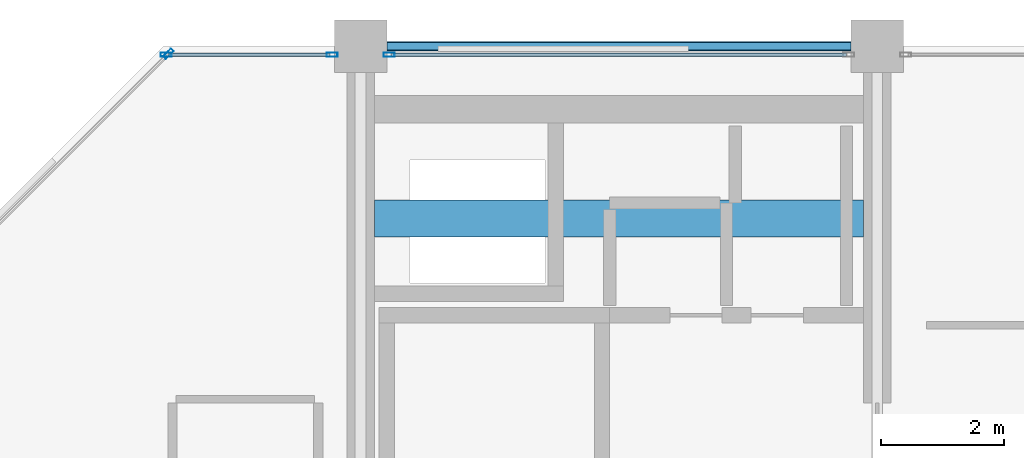
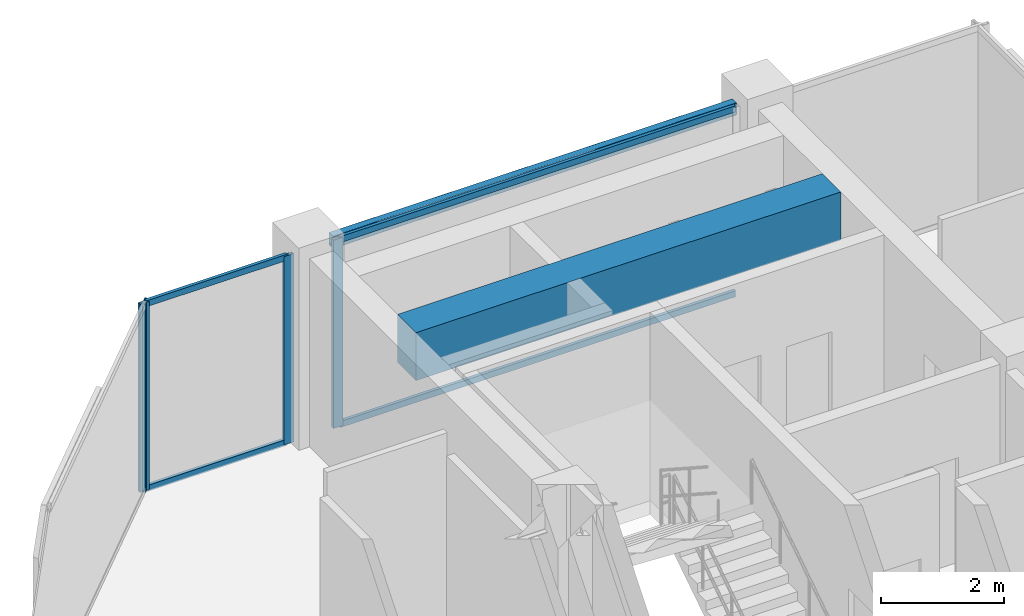
# One storey, part 18 of 26: 8 members, 2 beams, 3 elements without a shape of their own.
"""IFC4 building model written with IfcOpenShell, lengths in metres."""

from ifc_helpers import new_model, si_unit, direction, frame, origin, origin_2d, place, context, subcontext, project, spatial, rectangle, hollow_rectangle, extrude, material, layer, layer_set, material_profile, profile_set, type_object, element, aggregate, save


model = new_model("IFC4")

# Units and contexts
model_context = context("Model", 3, precision=1e-05, world=origin(), true_north=direction((0.0, 1.0)))
body_context = subcontext(model_context, "Body", "Model", "MODEL_VIEW")
ifc_project = project(units=[si_unit("LENGTHUNIT", "METRE"), si_unit("AREAUNIT", "SQUARE_METRE"), si_unit("VOLUMEUNIT", "CUBIC_METRE"), si_unit("PLANEANGLEUNIT", "RADIAN"), si_unit("MASSUNIT", "GRAM", prefix="KILO")], contexts=[model_context])

# Site, building, storey
site_placement = place(None, origin())
site = spatial("IfcSite", under=ifc_project, at=site_placement, CompositionType="ELEMENT")
building_placement = place(site_placement, origin())
building = spatial("IfcBuilding", under=site, at=building_placement, Name="Nerrivon Quay Data Exchange", CompositionType="ELEMENT")
storey_placement = place(building_placement, frame((0.0, 0.0, 262.199951171875)))
storey = spatial("IfcBuildingStorey", under=building, at=storey_placement, Name="L62", CompositionType="ELEMENT", Elevation=262.199951171875)

# Beams
ifc_material_1 = material(Name="Concrete N50 (50 MPa)", Category="concrete")
ifc_material_profile_1 = material_profile(ifc_material_1, rectangle(XDim=0.60009765625, YDim=0.949951171875, at=origin_2d()), Name="RC-CB-600x950")
ifc_profile_set_1 = profile_set([ifc_material_profile_1], Name="Concrete N50 (50 MPa)")
beam_type_1 = type_object("IfcBeamType", Name="BM-CB2-600x950", PredefinedType="LINTEL", material=ifc_profile_set_1)
beam_1_placement = place(storey_placement, frame((8.625, 39.199951171875, 3.25), z_axis=(1.0, 0.0, 0.0), x_axis=(0.0, 1.0, 0.0)))
element("IfcBeam", 1, at=beam_1_placement, inside=storey, type_object=beam_type_1, Name="L62 West Core Coupling Beam", PredefinedType="LINTEL", context=body_context, shape_type="SweptSolid", body=[
    extrude(rectangle(XDim=0.60009765625, YDim=0.949951171875, at=origin_2d()), origin(), (0.0, 0.0, 1.0), 7.949951171875),
])
ifc_material_2 = material(Name="Steel Grade C350L0 (350 MPa)", Category="steel")
ifc_material_profile_2 = material_profile(ifc_material_2, hollow_rectangle(XDim=0.14990234375, YDim=0.25, WallThickness=0.009033203125, InnerFilletRadius=0.013427734375, OuterFilletRadius=0.0224609375, at=origin_2d()), Name="250x150x9.0RHS")
ifc_profile_set_2 = profile_set([ifc_material_profile_2], Name="Steel Grade C350L0 (350 MPa)")
beam_type_2 = type_object("IfcBeamType", Name="BM-SP4-250x150RHS", PredefinedType="SPANDREL", material=ifc_profile_set_2)
beam_2_placement = place(storey_placement, frame((8.824951171875, 42.0, 3.60009765625), z_axis=(1.0, 0.0, 0.0), x_axis=(0.0, 1.0, 0.0)))
element("IfcBeam", 2, at=beam_2_placement, inside=storey, type_object=beam_type_2, Name="L62 EW Girder Y=42.0 (8.4..16.8)", PredefinedType="SPANDREL", context=body_context, shape_type="SweptSolid", body=[
    extrude(hollow_rectangle(XDim=0.14990234375, YDim=0.25, WallThickness=0.009033203125, InnerFilletRadius=0.013427734375, OuterFilletRadius=0.0224609375, at=origin_2d()), origin(), (0.0, 0.0, 1.0), 7.550048828125),
])

# Curtain wall, member
ifc_material_3 = material(Name="Anodised aluminium 6063-T6", Category="aluminium")
ifc_layer = layer(ifc_material_3, 0.195068359375)
ifc_layer_set = layer_set([ifc_layer], Name="Anodised aluminium 6063-T6")
curtain_wall_type = type_object("IfcCurtainWallType", Name="CW-SYS-06", PredefinedType="NOTDEFINED", material=ifc_layer_set)
curtain_wall_1_placement = place(storey_placement, origin())
curtain_wall_1 = element("IfcCurtainWall", 3, at=curtain_wall_1_placement, inside=storey, type_object=curtain_wall_type, Name="L62 Unitised Curtain Wall 16", PredefinedType="NOTDEFINED")
ifc_material_profile_3 = material_profile(ifc_material_3, hollow_rectangle(XDim=0.06494140625, YDim=0.179931640625, WallThickness=0.00341796875, at=origin_2d()), Name="ALU-MULL-180x65")
ifc_profile_set_3 = profile_set([ifc_material_profile_3], Name="Anodised aluminium 6063-T6")
member_type_1 = type_object("IfcMemberType", Name="CWM-180x65", PredefinedType="MULLION", material=ifc_profile_set_3)
member_1_placement = place(storey_placement, frame((5.2724609375, 41.87451171875, 0.0), z_axis=(0.0, 0.0, 1.0), x_axis=(-0.707106781187, 0.707106781187, 0.0)))
member_1 = element("IfcMember", 4, at=member_1_placement, type_object=member_type_1, Name="CW06 mullion 2", PredefinedType="MULLION", context=body_context, shape_type="SweptSolid", body=[
    extrude(hollow_rectangle(XDim=0.06494140625, YDim=0.179931640625, WallThickness=0.00341796875, at=origin_2d()), origin(), (0.0, 0.0, 1.0), 3.72509765625),
])
aggregate(curtain_wall_1, [member_1])

# Curtain wall, members
curtain_wall_2_placement = place(storey_placement, origin())
curtain_wall_2 = element("IfcCurtainWall", 5, at=curtain_wall_2_placement, inside=storey, type_object=curtain_wall_type, Name="L62 Unitised Curtain Wall 17", PredefinedType="NOTDEFINED")
member_2_placement = place(storey_placement, frame((5.237548828125, 41.860107421875, 0.0), z_axis=(0.0, 0.0, 1.0), x_axis=(0.0, 1.0, 0.0)))
member_2 = element("IfcMember", 6, at=member_2_placement, type_object=member_type_1, Name="CW06 mullion 1", PredefinedType="MULLION", context=body_context, shape_type="SweptSolid", body=[
    extrude(hollow_rectangle(XDim=0.06494140625, YDim=0.179931640625, WallThickness=0.00341796875, at=origin_2d()), origin(), (0.0, 0.0, 1.0), 3.72509765625),
])
member_3_placement = place(storey_placement, frame((7.9375, 41.860107421875, 0.0), z_axis=(0.0, 0.0, 1.0), x_axis=(0.0, 1.0, 0.0)))
member_3 = element("IfcMember", 7, at=member_3_placement, type_object=member_type_1, Name="CW06 mullion 2", PredefinedType="MULLION", context=body_context, shape_type="SweptSolid", body=[
    extrude(hollow_rectangle(XDim=0.06494140625, YDim=0.179931640625, WallThickness=0.00341796875, at=origin_2d()), origin(), (0.0, 0.0, 1.0), 3.72509765625),
])

# Curtain wall, member
curtain_wall_3_placement = place(storey_placement, origin())
curtain_wall_3 = element("IfcCurtainWall", 8, at=curtain_wall_3_placement, inside=storey, type_object=curtain_wall_type, Name="L62 Unitised Curtain Wall 18", PredefinedType="NOTDEFINED")
member_4_placement = place(storey_placement, frame((8.862548828125, 41.860107421875, 0.0), z_axis=(0.0, 0.0, 1.0), x_axis=(0.0, 1.0, 0.0)))
member_4 = element("IfcMember", 9, at=member_4_placement, type_object=member_type_1, Name="CW06 mullion 1", PredefinedType="MULLION", context=body_context, shape_type="SweptSolid", body=[
    extrude(hollow_rectangle(XDim=0.06494140625, YDim=0.179931640625, WallThickness=0.00341796875, at=origin_2d()), origin(), (0.0, 0.0, 1.0), 3.72509765625),
])

# Member
ifc_material_profile_4 = material_profile(ifc_material_3, hollow_rectangle(XDim=0.06005859375, YDim=0.1201171875, WallThickness=0.003173828125, at=origin_2d()), Name="ALU-TRAN-120x60")
ifc_profile_set_4 = profile_set([ifc_material_profile_4], Name="Anodised aluminium 6063-T6")
member_type_2 = type_object("IfcMemberType", Name="CWT-120x60", PredefinedType="USERDEFINED", material=ifc_profile_set_4)
member_5_placement = place(storey_placement, frame((5.27490234375, 41.860107421875, 0.032470703125), z_axis=(1.0, 0.0, 0.0), x_axis=(0.0, 1.0, 0.0)))
member_5 = element("IfcMember", 10, at=member_5_placement, type_object=member_type_2, Name="CW06 transom 1.1", ObjectType="TRANSOM", PredefinedType="USERDEFINED", context=body_context, shape_type="SweptSolid", body=[
    extrude(hollow_rectangle(XDim=0.06005859375, YDim=0.1201171875, WallThickness=0.003173828125, at=origin_2d()), origin(), (0.0, 0.0, 1.0), 2.625),
])

member_6_placement = place(storey_placement, frame((5.27490234375, 41.860107421875, 3.692626953125), z_axis=(1.0, 0.0, 0.0), x_axis=(0.0, 1.0, 0.0)))
member_6 = element("IfcMember", 11, at=member_6_placement, type_object=member_type_2, Name="CW06 transom 1.2", ObjectType="TRANSOM", PredefinedType="USERDEFINED", context=body_context, shape_type="SweptSolid", body=[
    extrude(hollow_rectangle(XDim=0.06005859375, YDim=0.1201171875, WallThickness=0.003173828125, at=origin_2d()), origin(), (0.0, 0.0, 1.0), 2.625),
])

aggregate(curtain_wall_2, [member_2, member_3, member_5, member_6])

member_7_placement = place(storey_placement, frame((8.89990234375, 41.860107421875, 0.032470703125), z_axis=(1.0, 0.0, 0.0), x_axis=(0.0, 1.0, 0.0)))
member_7 = element("IfcMember", 12, at=member_7_placement, type_object=member_type_2, Name="CW06 transom 1.1", ObjectType="TRANSOM", PredefinedType="USERDEFINED", context=body_context, shape_type="SweptSolid", body=[
    extrude(hollow_rectangle(XDim=0.06005859375, YDim=0.1201171875, WallThickness=0.003173828125, at=origin_2d()), origin(), (0.0, 0.0, 1.0), 7.400146484375),
])

member_8_placement = place(storey_placement, frame((8.89990234375, 41.860107421875, 3.692626953125), z_axis=(1.0, 0.0, 0.0), x_axis=(0.0, 1.0, 0.0)))
member_8 = element("IfcMember", 13, at=member_8_placement, type_object=member_type_2, Name="CW06 transom 1.2", ObjectType="TRANSOM", PredefinedType="USERDEFINED", context=body_context, shape_type="SweptSolid", body=[
    extrude(hollow_rectangle(XDim=0.06005859375, YDim=0.1201171875, WallThickness=0.003173828125, at=origin_2d()), origin(), (0.0, 0.0, 1.0), 7.400146484375),
])

aggregate(curtain_wall_3, [member_4, member_7, member_8])

save(model, "model.ifc")
